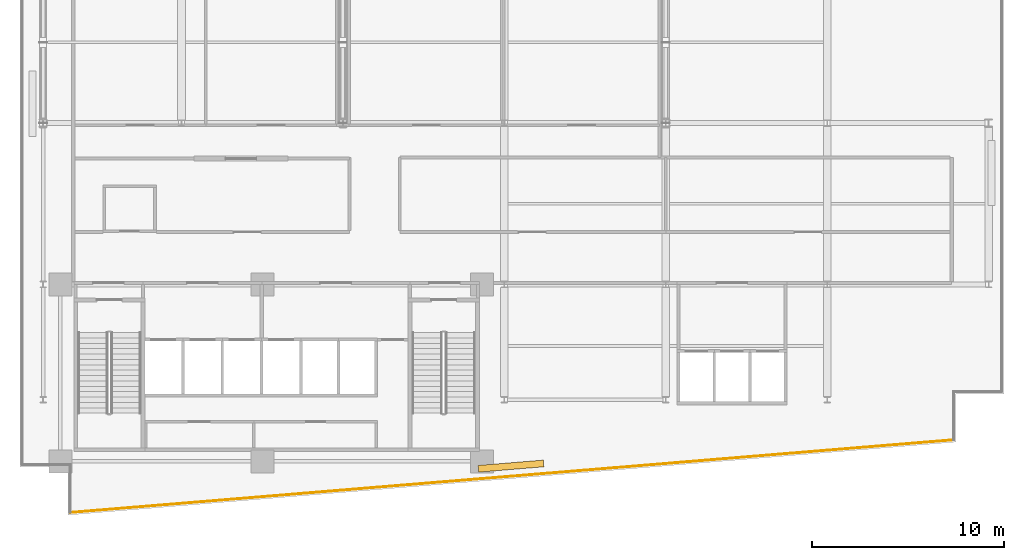
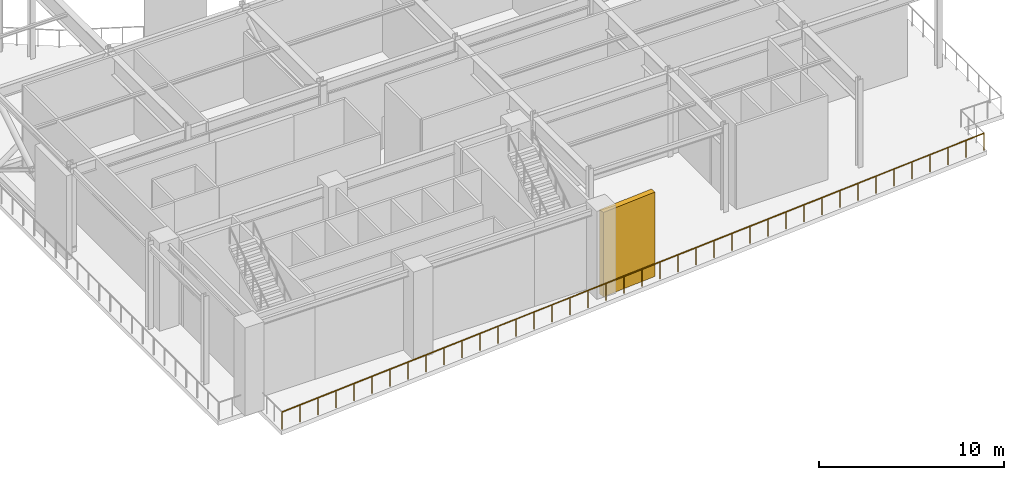
# One storey, part 11 of 13: 1 railing, 1 shading device.
"""IFC4 building model written with IfcOpenShell, lengths in metres."""

from ifc_helpers import new_model, si_unit, direction, frame, origin, origin_2d, place, context, subcontext, project, spatial, rectangle, circle, extrude, material, layer, layer_set, type_object, element, save


model = new_model("IFC4")

# Units and contexts
model_context = context("Model", 3, precision=1e-05, world=origin(), true_north=direction((0.0, 1.0)))
body_context = subcontext(model_context, "Body", "Model", "MODEL_VIEW")
ifc_project = project(units=[si_unit("LENGTHUNIT", "METRE"), si_unit("AREAUNIT", "SQUARE_METRE"), si_unit("VOLUMEUNIT", "CUBIC_METRE"), si_unit("PLANEANGLEUNIT", "RADIAN"), si_unit("MASSUNIT", "GRAM", prefix="KILO")], contexts=[model_context])

# Site, building, storey
site_placement = place(None, origin())
site = spatial("IfcSite", under=ifc_project, at=site_placement, CompositionType="ELEMENT")
building_placement = place(site_placement, origin())
building = spatial("IfcBuilding", under=site, at=building_placement, Name="Varnakote Quay Hospital", CompositionType="ELEMENT")
storey_placement = place(building_placement, frame((0.0, 0.0, 174.449951171875)))
storey = spatial("IfcBuildingStorey", under=building, at=storey_placement, Name="L43", CompositionType="ELEMENT", Elevation=174.449951171875)

# Railing
ifc_material_1 = material(Name="Anodised aluminium 6063-T6 Bronze", Category="aluminium")
railing_type = type_object("IfcRailingType", Name="RLG-EXT-GUARD-1150", PredefinedType="GUARDRAIL", material=ifc_material_1)
railing_placement = place(storey_placement, frame((48.580078125, 3.910400390625, 0.0)))
element("IfcRailing", 1, at=railing_placement, inside=storey, type_object=railing_type, Name="L43 Open Wind-Damping Deck Perimeter Safety Guard", PredefinedType="GUARDRAIL", context=body_context, shape_type="SweptSolid", body=[
    extrude(circle(Radius=0.02392578125, at=origin_2d()), frame((0.0, 0.0, 1.1259765625), z_axis=(-0.996634849276, -0.081969367504, 0.0), x_axis=(0.081969367504, -0.996634849276, 0.0)), (0.0, 0.0, 1.0), 46.115234375),
    extrude(circle(Radius=0.02099609375, at=origin_2d()), origin(), (0.0, 0.0, 1.0), 1.101806640625),
    extrude(circle(Radius=0.02099609375, at=origin_2d()), frame((-1.178466796875, -0.096923828125, 0.0)), (0.0, 0.0, 1.0), 1.101806640625),
    extrude(circle(Radius=0.02099609375, at=origin_2d()), frame((-2.35693359375, -0.19384765625, 0.0)), (0.0, 0.0, 1.0), 1.101806640625),
    extrude(circle(Radius=0.02099609375, at=origin_2d()), frame((-3.535400390625, -0.290771484375, 0.0)), (0.0, 0.0, 1.0), 1.101806640625),
    extrude(circle(Radius=0.02099609375, at=origin_2d()), frame((-4.7138671875, -0.3876953125, 0.0)), (0.0, 0.0, 1.0), 1.101806640625),
    extrude(circle(Radius=0.02099609375, at=origin_2d()), frame((-5.892333984375, -0.484619140625, 0.0)), (0.0, 0.0, 1.0), 1.101806640625),
    extrude(circle(Radius=0.02099609375, at=origin_2d()), frame((-7.07080078125, -0.58154296875, 0.0)), (0.0, 0.0, 1.0), 1.101806640625),
    extrude(circle(Radius=0.02099609375, at=origin_2d()), frame((-8.249267578125, -0.678466796875, 0.0)), (0.0, 0.0, 1.0), 1.101806640625),
    extrude(circle(Radius=0.02099609375, at=origin_2d()), frame((-9.427734375, -0.775390625, 0.0)), (0.0, 0.0, 1.0), 1.101806640625),
    extrude(circle(Radius=0.02099609375, at=origin_2d()), frame((-10.606201171875, -0.872314453125, 0.0)), (0.0, 0.0, 1.0), 1.101806640625),
    extrude(circle(Radius=0.02099609375, at=origin_2d()), frame((-11.78466796875, -0.96923828125, 0.0)), (0.0, 0.0, 1.0), 1.101806640625),
    extrude(circle(Radius=0.02099609375, at=origin_2d()), frame((-12.963134765625, -1.066162109375, 0.0)), (0.0, 0.0, 1.0), 1.101806640625),
    extrude(circle(Radius=0.02099609375, at=origin_2d()), frame((-14.1416015625, -1.1630859375, 0.0)), (0.0, 0.0, 1.0), 1.101806640625),
    extrude(circle(Radius=0.02099609375, at=origin_2d()), frame((-15.320068359375, -1.260009765625, 0.0)), (0.0, 0.0, 1.0), 1.101806640625),
    extrude(circle(Radius=0.02099609375, at=origin_2d()), frame((-16.49853515625, -1.35693359375, 0.0)), (0.0, 0.0, 1.0), 1.101806640625),
    extrude(circle(Radius=0.02099609375, at=origin_2d()), frame((-17.677001953125, -1.453857421875, 0.0)), (0.0, 0.0, 1.0), 1.101806640625),
    extrude(circle(Radius=0.02099609375, at=origin_2d()), frame((-18.85546875, -1.55078125, 0.0)), (0.0, 0.0, 1.0), 1.101806640625),
    extrude(circle(Radius=0.02099609375, at=origin_2d()), frame((-20.033935546875, -1.647705078125, 0.0)), (0.0, 0.0, 1.0), 1.101806640625),
    extrude(circle(Radius=0.02099609375, at=origin_2d()), frame((-21.21240234375, -1.74462890625, 0.0)), (0.0, 0.0, 1.0), 1.101806640625),
    extrude(circle(Radius=0.02099609375, at=origin_2d()), frame((-22.390869140625, -1.841552734375, 0.0)), (0.0, 0.0, 1.0), 1.101806640625),
    extrude(circle(Radius=0.02099609375, at=origin_2d()), frame((-23.569091796875, -1.9384765625, 0.0)), (0.0, 0.0, 1.0), 1.101806640625),
    extrude(circle(Radius=0.02099609375, at=origin_2d()), frame((-24.74755859375, -2.035400390625, 0.0)), (0.0, 0.0, 1.0), 1.101806640625),
    extrude(circle(Radius=0.02099609375, at=origin_2d()), frame((-25.926025390625, -2.13232421875, 0.0)), (0.0, 0.0, 1.0), 1.101806640625),
    extrude(circle(Radius=0.02099609375, at=origin_2d()), frame((-27.1044921875, -2.229248046875, 0.0)), (0.0, 0.0, 1.0), 1.101806640625),
    extrude(circle(Radius=0.02099609375, at=origin_2d()), frame((-28.282958984375, -2.326171875, 0.0)), (0.0, 0.0, 1.0), 1.101806640625),
    extrude(circle(Radius=0.02099609375, at=origin_2d()), frame((-29.46142578125, -2.423095703125, 0.0)), (0.0, 0.0, 1.0), 1.101806640625),
    extrude(circle(Radius=0.02099609375, at=origin_2d()), frame((-30.639892578125, -2.52001953125, 0.0)), (0.0, 0.0, 1.0), 1.101806640625),
    extrude(circle(Radius=0.02099609375, at=origin_2d()), frame((-31.818359375, -2.616943359375, 0.0)), (0.0, 0.0, 1.0), 1.101806640625),
    extrude(circle(Radius=0.02099609375, at=origin_2d()), frame((-32.996826171875, -2.7138671875, 0.0)), (0.0, 0.0, 1.0), 1.101806640625),
    extrude(circle(Radius=0.02099609375, at=origin_2d()), frame((-34.17529296875, -2.810791015625, 0.0)), (0.0, 0.0, 1.0), 1.101806640625),
    extrude(circle(Radius=0.02099609375, at=origin_2d()), frame((-35.353759765625, -2.90771484375, 0.0)), (0.0, 0.0, 1.0), 1.101806640625),
    extrude(circle(Radius=0.02099609375, at=origin_2d()), frame((-36.5322265625, -3.004638671875, 0.0)), (0.0, 0.0, 1.0), 1.101806640625),
    extrude(circle(Radius=0.02099609375, at=origin_2d()), frame((-37.710693359375, -3.1015625, 0.0)), (0.0, 0.0, 1.0), 1.101806640625),
    extrude(circle(Radius=0.02099609375, at=origin_2d()), frame((-38.88916015625, -3.198486328125, 0.0)), (0.0, 0.0, 1.0), 1.101806640625),
    extrude(circle(Radius=0.02099609375, at=origin_2d()), frame((-40.067626953125, -3.29541015625, 0.0)), (0.0, 0.0, 1.0), 1.101806640625),
    extrude(circle(Radius=0.02099609375, at=origin_2d()), frame((-41.24609375, -3.392333984375, 0.0)), (0.0, 0.0, 1.0), 1.101806640625),
    extrude(circle(Radius=0.02099609375, at=origin_2d()), frame((-42.424560546875, -3.4892578125, 0.0)), (0.0, 0.0, 1.0), 1.101806640625),
    extrude(circle(Radius=0.02099609375, at=origin_2d()), frame((-43.60302734375, -3.586181640625, 0.0)), (0.0, 0.0, 1.0), 1.101806640625),
    extrude(circle(Radius=0.02099609375, at=origin_2d()), frame((-44.781494140625, -3.68310546875, 0.0)), (0.0, 0.0, 1.0), 1.101806640625),
    extrude(circle(Radius=0.02099609375, at=origin_2d()), frame((-45.9599609375, -3.780029296875, 0.0)), (0.0, 0.0, 1.0), 1.101806640625),
])

# Shading device
ifc_material_2 = material(Name="Precast concrete N50 (f'c 50 MPa)", Category="concrete")
ifc_layer = layer(ifc_material_2, 0.35009765625)
ifc_layer_set = layer_set([ifc_layer], Name="Precast concrete N50 (f'c 50 MPa)")
shading_device_type = type_object("IfcShadingDeviceType", Name="SHD-BRICK-OCULUS-350", PredefinedType="USERDEFINED", material=ifc_layer_set)
shading_device_placement = place(storey_placement, frame((25.546630859375, 2.5478515625, 0.0), z_axis=(0.0, 0.0, 1.0), x_axis=(0.996637386818, 0.08193850863, 0.0)))
element("IfcShadingDevice", 2, at=shading_device_placement, inside=storey, type_object=shading_device_type, Name="L43 Brick Oculus Wind Screen", ObjectType="OCULUS", PredefinedType="USERDEFINED", context=body_context, shape_type="SweptSolid", body=[
    extrude(rectangle(XDim=3.39990234375, YDim=0.35009765625, at=origin_2d()), origin(), (0.0, 0.0, 1.0), 5.56005859375),
])

save(model, "model.ifc")
